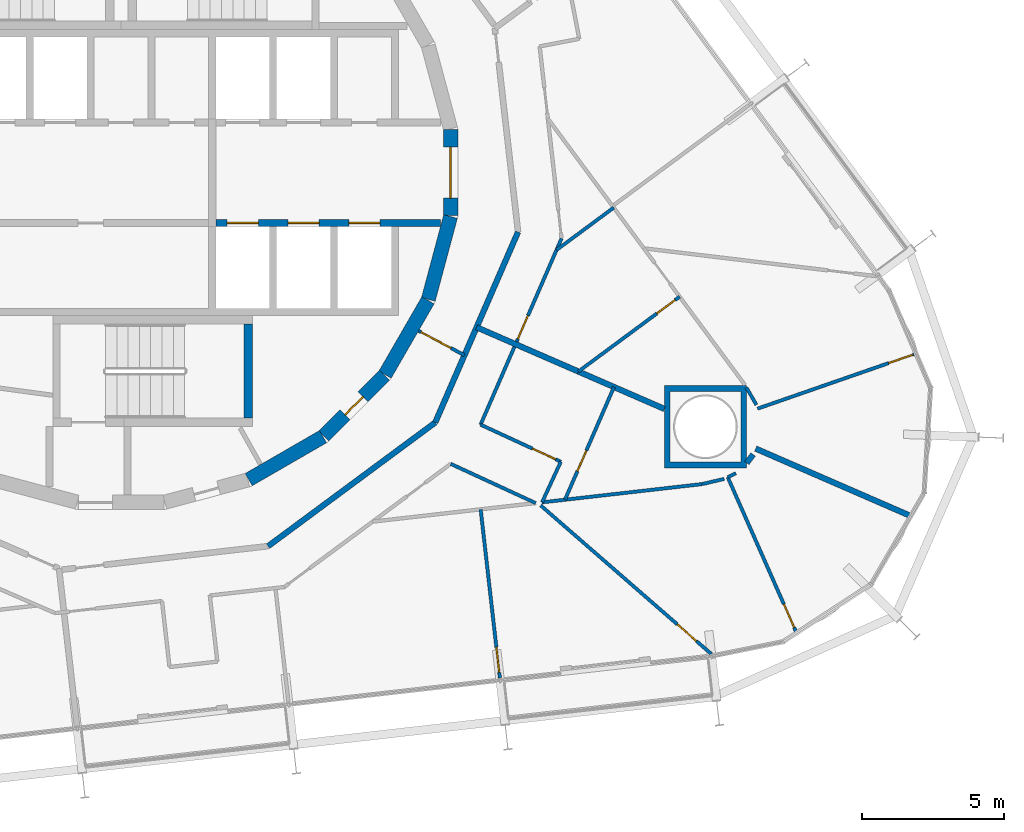
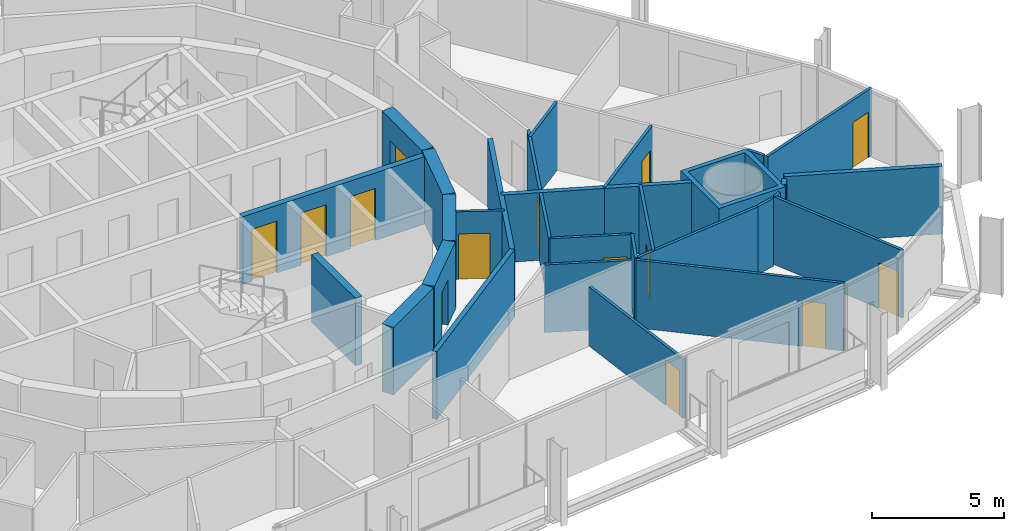
# One storey, part 19 of 24: 30 walls, 14 doors, 14 openings.
"""IFC4 building model written with IfcOpenShell, lengths in metres."""

from ifc_helpers import new_model, si_unit, direction, frame, frame_2d, origin, place, context, subcontext, project, spatial, polyline, rectangle, outline, extrude, material, layer, layer_set, type_object, element, fill, save


model = new_model("IFC4")

# Units and contexts
model_context = context("Model", 3, precision=1e-05, world=origin(), true_north=direction((0.0, 1.0)))
body_context = subcontext(model_context, "Body", "Model", "MODEL_VIEW")
ifc_project = project(units=[si_unit("LENGTHUNIT", "METRE"), si_unit("AREAUNIT", "SQUARE_METRE"), si_unit("VOLUMEUNIT", "CUBIC_METRE"), si_unit("PLANEANGLEUNIT", "RADIAN"), si_unit("MASSUNIT", "GRAM", prefix="KILO")], contexts=[model_context])

# Site, building, storey
site_placement = place(None, origin())
site = spatial("IfcSite", under=ifc_project, at=site_placement, CompositionType="ELEMENT")
building_placement = place(site_placement, origin())
building = spatial("IfcBuilding", under=site, at=building_placement, Name="Spindle Arch Residences", CompositionType="ELEMENT")
storey_placement = place(building_placement, frame((0.0, 0.0, 87.199951171875)))
storey = spatial("IfcBuildingStorey", under=building, at=storey_placement, Name="L20", CompositionType="ELEMENT", Elevation=87.199951171875)

# Wall
ifc_material_1 = material(Name="Concrete C50/60", Category="concrete")
ifc_layer_1 = layer(ifc_material_1, 0.5)
ifc_layer_set_1 = layer_set([ifc_layer_1], Name="Core outline wall 500")
wall_type_1 = type_object("IfcWallType", Name="Core outline wall 500", PredefinedType="SHEAR", material=ifc_layer_set_1)
wall_1_placement = place(storey_placement, frame((4.510498046875, -10.84521484375, 0.0), z_axis=(0.0, 0.0, 1.0), x_axis=(0.865975092491, 0.500087131594, 0.0)))
element("IfcWall", 1, at=wall_1_placement, inside=storey, type_object=wall_type_1, Name="Core outline wall 2", PredefinedType="SHEAR", context=body_context, shape_type="SweptSolid", body=[
    extrude(rectangle(XDim=3.03271484375, YDim=0.5, at=frame_2d((1.516357421875, 0.0))), origin(), (0.0, 0.0, 1.0), 3.1201171875),
])

# Wall, opening, door
wall_2_placement = place(storey_placement, frame((7.163818359375, -9.30810546875, 0.0), z_axis=(0.0, 0.0, 1.0), x_axis=(0.707106781187, 0.707106781187, 0.0)))
wall_2 = element("IfcWall", 2, at=wall_2_placement, inside=storey, type_object=wall_type_1, Name="Core outline wall 3", PredefinedType="SHEAR", context=body_context, shape_type="SweptSolid", body=[
    extrude(rectangle(XDim=3.032470703125, YDim=0.5, at=frame_2d((1.51611328125, 0.0))), origin(), (0.0, 0.0, 1.0), 3.1201171875),
])
opening_1_placement = place(wall_2_placement, frame((1.06640625, 0.0, 0.0)))
opening_1 = element("IfcOpeningElement", 3, at=opening_1_placement, cuts=wall_2, Name="Opening R2B1-WD07", PredefinedType="OPENING", context=body_context, shape_type="SweptSolid", body=[
    extrude(rectangle(XDim=0.89990234375, YDim=2.10009765625, at=frame_2d((0.449951171875, 1.050048828125))), frame((0.0, 0.260009765625, 0.0), z_axis=(0.0, -1.0, 0.0), x_axis=(1.0, 0.0, 0.0)), (0.0, 0.0, 1.0), 0.52001953125),
])
ifc_material_2 = material(Name="Steel, fire-resisting door", Category="steel")
door_type_1 = type_object("IfcDoorType", Name="Service room door 900x2100", OperationType="SINGLE_SWING_LEFT", PredefinedType="DOOR", material=ifc_material_2)
door_1_placement = place(opening_1_placement, origin())
door_1 = element("IfcDoor", 4, at=door_1_placement, inside=storey, type_object=door_type_1, Name="Service room door R2B1-WD07", OperationType="SINGLE_SWING_RIGHT", OverallHeight=2.10009765625, OverallWidth=0.89990234375, PredefinedType="DOOR", context=body_context, shape_type="SweptSolid", body=[
    extrude(rectangle(XDim=0.89990234375, YDim=2.10009765625, at=frame_2d((0.449951171875, 1.050048828125))), frame((0.0, 0.02490234375, 0.0), z_axis=(0.0, -1.0, 0.0), x_axis=(1.0, 0.0, 0.0)), (0.0, 0.0, 1.0), 0.050048828125),
])
fill(opening_1, door_1)

# Walls
for number, where, z_axis, x_axis, name in (
    (5, (9.32861328125, -7.13671875, 0.0), (0.0, 0.0, 1.0), (0.500087131594, 0.865975092491, 0.0), "Core outline wall 4"),
    (6, (10.858154296875, -4.479248046875, 0.0), (0.0, 0.0, 1.0), (0.258734743916, 0.965948410781, 0.0), "Core outline wall 5"),
):
    element("IfcWall", number, at=place(storey_placement, frame(where, z_axis=z_axis, x_axis=x_axis)), inside=storey, type_object=wall_type_1, Name=name, PredefinedType="SHEAR", context=body_context, shape_type="SweptSolid", body=[
        extrude(rectangle(XDim=3.03271484375, YDim=0.5, at=frame_2d((1.516357421875, 0.0))), origin(), (0.0, 0.0, 1.0), 3.1201171875),
    ])

# Wall, opening, door
wall_3_placement = place(storey_placement, frame((11.647216796875, -1.516357421875, 0.0), z_axis=(0.0, 0.0, 1.0), x_axis=(0.0, 1.0, 0.0)))
wall_3 = element("IfcWall", 7, at=wall_3_placement, inside=storey, type_object=wall_type_1, Name="Core outline wall 6", PredefinedType="SHEAR", context=body_context, shape_type="SweptSolid", body=[
    extrude(rectangle(XDim=3.03271484375, YDim=0.5, at=frame_2d((1.516357421875, 0.0))), origin(), (0.0, 0.0, 1.0), 3.1201171875),
])
opening_2_placement = place(wall_3_placement, frame((0.6162109375, 0.0, 0.0)))
opening_2 = element("IfcOpeningElement", 8, at=opening_2_placement, cuts=wall_3, Name="Opening R2B1-FE01", PredefinedType="OPENING", context=body_context, shape_type="SweptSolid", body=[
    extrude(rectangle(XDim=1.800048828125, YDim=2.10009765625, at=frame_2d((0.89990234375, 1.050048828125))), frame((0.0, 0.260009765625, 0.0), z_axis=(0.0, -1.0, 0.0), x_axis=(1.0, 0.0, 0.0)), (0.0, 0.0, 1.0), 0.52001953125),
])
ifc_material_3 = material(Name="Steel, fire-resisting door", Category="steel")
door_type_2 = type_object("IfcDoorType", Name="Fire-lift lobby door 1800x2100", OperationType="DOUBLE_DOOR_SINGLE_SWING", PredefinedType="DOOR", material=ifc_material_3)
door_2_placement = place(opening_2_placement, origin())
door_2 = element("IfcDoor", 9, at=door_2_placement, inside=storey, type_object=door_type_2, Name="Fire-lift lobby door R2B1-FE01", OperationType="DOUBLE_DOOR_SINGLE_SWING", OverallHeight=2.10009765625, OverallWidth=1.800048828125, PredefinedType="DOOR", context=body_context, shape_type="SweptSolid", body=[
    extrude(rectangle(XDim=1.800048828125, YDim=2.10009765625, at=frame_2d((0.89990234375, 1.050048828125))), frame((0.0, 0.02490234375, 0.0), z_axis=(0.0, -1.0, 0.0), x_axis=(1.0, 0.0, 0.0)), (0.0, 0.0, 1.0), 0.050048828125),
])
fill(opening_2, door_2)

ifc_material_4 = material(Name="Plasterboard on steel studs", Category="steel")
ifc_layer_2 = layer(ifc_material_4, 0.1201171875)
ifc_layer_set_2 = layer_set([ifc_layer_2], Name="Corridor division wall 120")
wall_type_2 = type_object("IfcWallType", Name="Corridor division wall 120", PredefinedType="PARTITIONING", material=ifc_layer_set_2)
wall_4_placement = place(storey_placement, frame((10.510986328125, -5.5888671875, 0.0), z_axis=(0.0, 0.0, 1.0), x_axis=(0.882962602189, -0.469443333253, 0.0)))
wall_4 = element("IfcWall", 10, at=wall_4_placement, inside=storey, type_object=wall_type_2, Name="Corridor division wall R2B1-W002", PredefinedType="PARTITIONING", context=body_context, shape_type="SweptSolid", body=[
    extrude(rectangle(XDim=1.837890625, YDim=0.1201171875, at=frame_2d((0.9189453125, 0.0))), origin(), (0.0, 0.0, 1.0), 3.1201171875),
])
opening_3_placement = place(wall_4_placement, frame((0.10009765625, 0.0, 0.0)))
opening_3 = element("IfcOpeningElement", 11, at=opening_3_placement, cuts=wall_4, Name="Opening R2B1-CD02", PredefinedType="OPENING", context=body_context, shape_type="SweptSolid", body=[
    extrude(rectangle(XDim=1.199951171875, YDim=2.10009765625, at=frame_2d((0.60009765625, 1.050048828125))), frame((0.0, 0.070068359375, 0.0), z_axis=(0.0, -1.0, 0.0), x_axis=(1.0, 0.0, 0.0)), (0.0, 0.0, 1.0), 0.14013671875),
])
ifc_material_5 = material(Name="Steel, fire-resisting door", Category="steel")
door_type_3 = type_object("IfcDoorType", Name="Corridor division door 1200x2100", OperationType="NOTDEFINED", PredefinedType="DOOR", material=ifc_material_5)
door_3_placement = place(opening_3_placement, origin())
door_3 = element("IfcDoor", 12, at=door_3_placement, inside=storey, type_object=door_type_3, Name="Corridor division door R2B1-CD02", OperationType="DOUBLE_DOOR_SINGLE_SWING", OverallHeight=2.10009765625, OverallWidth=1.199951171875, PredefinedType="DOOR", context=body_context, shape_type="SweptSolid", body=[
    extrude(rectangle(XDim=1.199951171875, YDim=2.10009765625, at=frame_2d((0.60009765625, 1.050048828125))), frame((0.0, 0.02490234375, 0.0), z_axis=(0.0, -1.0, 0.0), x_axis=(1.0, 0.0, 0.0)), (0.0, 0.0, 1.0), 0.050048828125),
])
fill(opening_3, door_3)

# Walls
ifc_material_6 = material(Name="Calcium silicate block, plastered")
ifc_layer_3 = layer(ifc_material_6, 0.199951171875)
ifc_layer_set_3 = layer_set([ifc_layer_3], Name="Corridor wall 200")
wall_type_3 = type_object("IfcWallType", Name="Corridor wall 200", PredefinedType="STANDARD", material=ifc_layer_set_3)
for number, where, z_axis, x_axis, name in (
    (13, (11.10009765625, -8.829345703125, 0.0), (0.0, 0.0, 1.0), (0.398741918631, 0.917063183388, 0.0), "Corridor wall R2B1-W007"),
    (14, (5.1982421875, -13.1962890625, 0.0), (0.0, 0.0, 1.0), (0.803869883159, 0.594805187394, 0.0), "Corridor wall R2B1-W015"),
):
    element("IfcWall", number, at=place(storey_placement, frame(where, z_axis=z_axis, x_axis=x_axis)), inside=storey, type_object=wall_type_3, Name=name, PredefinedType="STANDARD", context=body_context, shape_type="SweptSolid", body=[
        extrude(rectangle(XDim=7.341796875, YDim=0.199951171875, at=frame_2d((3.6708984375, 0.0))), origin(), (0.0, 0.0, 1.0), 3.1201171875),
    ])

# Wall, openings, doors
ifc_material_7 = material(Name="Concrete C50/60", Category="concrete")
ifc_layer_4 = layer(ifc_material_7, 0.25)
ifc_layer_set_4 = layer_set([ifc_layer_4], Name="Fire-lift shaft wall 250")
wall_type_4 = type_object("IfcWallType", Name="Fire-lift shaft wall 250", PredefinedType="SHEAR", material=ifc_layer_set_4)
wall_5_placement = place(storey_placement, frame((3.35009765625, -1.77490234375, 0.0), z_axis=(0.0, 0.0, 1.0), x_axis=(1.0, 0.0, 0.0)))
wall_5 = element("IfcWall", 15, at=wall_5_placement, inside=storey, type_object=wall_type_4, Name="Lift shaft front wall SE", PredefinedType="SHEAR", context=body_context, shape_type="SweptSolid", body=[
    extrude(rectangle(XDim=7.929931640625, YDim=0.25, at=frame_2d((3.96484375, 0.0))), origin(), (0.0, 0.0, 1.0), 3.1201171875),
])
opening_4_placement = place(wall_5_placement, frame((0.39990234375, 0.0, 0.0)))
opening_4 = element("IfcOpeningElement", 16, at=opening_4_placement, cuts=wall_5, Name="Opening R2B1-FLD01", PredefinedType="OPENING", context=body_context, shape_type="SweptSolid", body=[
    extrude(rectangle(XDim=1.10009765625, YDim=2.39990234375, at=frame_2d((0.550048828125, 1.199951171875))), frame((0.0, 0.135009765625, 0.0), z_axis=(0.0, -1.0, 0.0), x_axis=(1.0, 0.0, 0.0)), (0.0, 0.0, 1.0), 0.27001953125),
])
opening_5_placement = place(wall_5_placement, frame((2.550048828125, 0.0, 0.0)))
opening_5 = element("IfcOpeningElement", 17, at=opening_5_placement, cuts=wall_5, Name="Opening R2B1-FLD02", PredefinedType="OPENING", context=body_context, shape_type="SweptSolid", body=[
    extrude(rectangle(XDim=1.10009765625, YDim=2.39990234375, at=frame_2d((0.550048828125, 1.199951171875))), frame((0.0, 0.135009765625, 0.0), z_axis=(0.0, -1.0, 0.0), x_axis=(1.0, 0.0, 0.0)), (0.0, 0.0, 1.0), 0.27001953125),
])
opening_6_placement = place(wall_5_placement, frame((4.699951171875, 0.0, 0.0)))
opening_6 = element("IfcOpeningElement", 18, at=opening_6_placement, cuts=wall_5, Name="Opening R2B1-FLD03", PredefinedType="OPENING", context=body_context, shape_type="SweptSolid", body=[
    extrude(rectangle(XDim=1.10009765625, YDim=2.39990234375, at=frame_2d((0.550048828125, 1.199951171875))), frame((0.0, 0.135009765625, 0.0), z_axis=(0.0, -1.0, 0.0), x_axis=(1.0, 0.0, 0.0)), (0.0, 0.0, 1.0), 0.27001953125),
])
ifc_material_8 = material(Name="Steel, fire-resisting landing door", Category="steel")
door_type_4 = type_object("IfcDoorType", Name="Fire-fighting lift landing door 1100x2400", OperationType="DOUBLE_DOOR_SLIDING", PredefinedType="DOOR", material=ifc_material_8)
door_4_placement = place(opening_4_placement, origin())
door_4 = element("IfcDoor", 19, at=door_4_placement, inside=storey, type_object=door_type_4, Name="Fire-fighting lift landing door R2B1-FLD01", OperationType="DOUBLE_DOOR_SLIDING", OverallHeight=2.39990234375, OverallWidth=1.10009765625, PredefinedType="DOOR", context=body_context, shape_type="SweptSolid", body=[
    extrude(rectangle(XDim=1.10009765625, YDim=2.39990234375, at=frame_2d((0.550048828125, 1.199951171875))), frame((0.0, 0.02490234375, 0.0), z_axis=(0.0, -1.0, 0.0), x_axis=(1.0, 0.0, 0.0)), (0.0, 0.0, 1.0), 0.050048828125),
])
fill(opening_4, door_4)
door_5_placement = place(opening_5_placement, origin())
door_5 = element("IfcDoor", 20, at=door_5_placement, inside=storey, type_object=door_type_4, Name="Fire-fighting lift landing door R2B1-FLD02", OperationType="DOUBLE_DOOR_SLIDING", OverallHeight=2.39990234375, OverallWidth=1.10009765625, PredefinedType="DOOR", context=body_context, shape_type="SweptSolid", body=[
    extrude(rectangle(XDim=1.10009765625, YDim=2.39990234375, at=frame_2d((0.550048828125, 1.199951171875))), frame((0.0, 0.02490234375, 0.0), z_axis=(0.0, -1.0, 0.0), x_axis=(1.0, 0.0, 0.0)), (0.0, 0.0, 1.0), 0.050048828125),
])
fill(opening_5, door_5)
door_6_placement = place(opening_6_placement, origin())
door_6 = element("IfcDoor", 21, at=door_6_placement, inside=storey, type_object=door_type_4, Name="Fire-fighting lift landing door R2B1-FLD03", OperationType="DOUBLE_DOOR_SLIDING", OverallHeight=2.39990234375, OverallWidth=1.10009765625, PredefinedType="DOOR", context=body_context, shape_type="SweptSolid", body=[
    extrude(rectangle(XDim=1.10009765625, YDim=2.39990234375, at=frame_2d((0.550048828125, 1.199951171875))), frame((0.0, 0.02490234375, 0.0), z_axis=(0.0, -1.0, 0.0), x_axis=(1.0, 0.0, 0.0)), (0.0, 0.0, 1.0), 0.050048828125),
])
fill(opening_6, door_6)

# Walls
ifc_material_9 = material(Name="Plasterboard on steel studs", Category="steel")
ifc_layer_5 = layer(ifc_material_9, 0.1201171875)
ifc_layer_set_5 = layer_set([ifc_layer_5], Name="Flat partition 120")
wall_type_5 = type_object("IfcWallType", Name="Flat partition 120", PredefinedType="PARTITIONING", material=ifc_layer_set_5)
wall_6_placement = place(storey_placement, frame((11.648681640625, -10.289306640625, 0.0), z_axis=(0.0, 0.0, 1.0), x_axis=(0.9079269461, -0.419128453514, 0.0)))
element("IfcWall", 22, at=wall_6_placement, inside=storey, type_object=wall_type_5, Name="Flat partition R2B1-W098", PredefinedType="PARTITIONING", context=body_context, shape_type="SweptSolid", body=[
    extrude(rectangle(XDim=3.304443359375, YDim=0.1201171875, at=frame_2d((1.65234375, 0.0))), origin(), (0.0, 0.0, 1.0), 3.1201171875),
])
wall_7_placement = place(storey_placement, frame((14.87548828125, -11.6484375, 0.0), z_axis=(0.0, 0.0, 1.0), x_axis=(0.419087543301, 0.90794583046, 0.0)))
element("IfcWall", 23, at=wall_7_placement, inside=storey, type_object=wall_type_5, Name="Flat partition R2B1-W099", PredefinedType="PARTITIONING", context=body_context, shape_type="SweptSolid", body=[
    extrude(rectangle(XDim=1.58154296875, YDim=0.1201171875, at=frame_2d((0.790771484375, 0.0))), origin(), (0.0, 0.0, 1.0), 3.1201171875),
])

# Wall, opening, door
wall_8_placement = place(storey_placement, frame((15.538330078125, -10.21240234375, 0.0), z_axis=(0.0, 0.0, 1.0), x_axis=(-0.907941075756, 0.419097844131, 0.0)))
wall_8 = element("IfcWall", 24, at=wall_8_placement, inside=storey, type_object=wall_type_5, Name="Flat partition R2B1-W100", PredefinedType="PARTITIONING", context=body_context, shape_type="SweptSolid", body=[
    extrude(rectangle(XDim=3.122314453125, YDim=0.1201171875, at=frame_2d((1.56103515625, 0.0))), origin(), (0.0, 0.0, 1.0), 3.1201171875),
])
opening_7_placement = place(wall_8_placement, frame((0.199951171875, 0.0, 0.0)))
opening_7 = element("IfcOpeningElement", 25, at=opening_7_placement, cuts=wall_8, Name="Opening R2B1-ID27", PredefinedType="OPENING", context=body_context, shape_type="SweptSolid", body=[
    extrude(rectangle(XDim=0.89990234375, YDim=2.10009765625, at=frame_2d((0.449951171875, 1.050048828125))), frame((0.0, 0.070068359375, 0.0), z_axis=(0.0, -1.0, 0.0), x_axis=(1.0, 0.0, 0.0)), (0.0, 0.0, 1.0), 0.14013671875),
])
ifc_material_10 = material(Name="Timber door set", Category="wood")
door_type_5 = type_object("IfcDoorType", Name="Room door 900x2100", OperationType="NOTDEFINED", PredefinedType="DOOR", material=ifc_material_10)
door_7_placement = place(opening_7_placement, origin())
door_7 = element("IfcDoor", 26, at=door_7_placement, inside=storey, type_object=door_type_5, Name="Room door R2B1-ID27", OperationType="SINGLE_SWING_LEFT", OverallHeight=2.10009765625, OverallWidth=0.89990234375, PredefinedType="DOOR", context=body_context, shape_type="SweptSolid", body=[
    extrude(rectangle(XDim=0.89990234375, YDim=2.10009765625, at=frame_2d((0.449951171875, 1.050048828125))), frame((0.0, 0.02490234375, 0.0), z_axis=(0.0, -1.0, 0.0), x_axis=(1.0, 0.0, 0.0)), (0.0, 0.0, 1.0), 0.050048828125),
])
fill(opening_7, door_7)

wall_9_placement = place(storey_placement, frame((12.703369140625, -8.90380859375, 0.0), z_axis=(0.0, 0.0, 1.0), x_axis=(0.398716154453, 0.917074385303, 0.0)))
wall_9 = element("IfcWall", 27, at=wall_9_placement, inside=storey, type_object=wall_type_5, Name="Flat partition R2B1-W101", PredefinedType="PARTITIONING", context=body_context, shape_type="SweptSolid", body=[
    extrude(rectangle(XDim=7.172607421875, YDim=0.1201171875, at=frame_2d((3.58642578125, 0.0))), origin(), (0.0, 0.0, 1.0), 3.1201171875),
])
opening_8_placement = place(wall_9_placement, frame((3.2998046875, 0.0, 0.0)))
opening_8 = element("IfcOpeningElement", 28, at=opening_8_placement, cuts=wall_9, Name="Opening R2B1-ID32", PredefinedType="OPENING", context=body_context, shape_type="SweptSolid", body=[
    extrude(rectangle(XDim=0.89990234375, YDim=2.10009765625, at=frame_2d((0.449951171875, 1.050048828125))), frame((0.0, 0.070068359375, 0.0), z_axis=(0.0, -1.0, 0.0), x_axis=(1.0, 0.0, 0.0)), (0.0, 0.0, 1.0), 0.14013671875),
])
door_8_placement = place(opening_8_placement, origin())
door_8 = element("IfcDoor", 29, at=door_8_placement, inside=storey, type_object=door_type_5, Name="Room door R2B1-ID32", OperationType="SINGLE_SWING_RIGHT", OverallHeight=2.10009765625, OverallWidth=0.89990234375, PredefinedType="DOOR", context=body_context, shape_type="SweptSolid", body=[
    extrude(rectangle(XDim=0.89990234375, YDim=2.10009765625, at=frame_2d((0.449951171875, 1.050048828125))), frame((0.0, 0.02490234375, 0.0), z_axis=(0.0, -1.0, 0.0), x_axis=(1.0, 0.0, 0.0)), (0.0, 0.0, 1.0), 0.050048828125),
])
fill(opening_8, door_8)

wall_10_placement = place(storey_placement, frame((20.856201171875, -17.005859375, 0.0), z_axis=(0.0, 0.0, 1.0), x_axis=(-0.75423134567, 0.656608770281, 0.0)))
wall_10 = element("IfcWall", 30, at=wall_10_placement, inside=storey, type_object=wall_type_5, Name="Flat partition R2B1-W105", PredefinedType="PARTITIONING", context=body_context, shape_type="SweptSolid", body=[
    extrude(rectangle(XDim=7.995361328125, YDim=0.1201171875, at=frame_2d((3.99755859375, 0.0))), origin(), (0.0, 0.0, 1.0), 3.1201171875),
])
opening_9_placement = place(wall_10_placement, frame((0.699951171875, 0.0, 0.0)))
opening_9 = element("IfcOpeningElement", 31, at=opening_9_placement, cuts=wall_10, Name="Opening R2B1-ID29", PredefinedType="OPENING", context=body_context, shape_type="SweptSolid", body=[
    extrude(rectangle(XDim=0.89990234375, YDim=2.10009765625, at=frame_2d((0.449951171875, 1.050048828125))), frame((0.0, 0.070068359375, 0.0), z_axis=(0.0, -1.0, 0.0), x_axis=(1.0, 0.0, 0.0)), (0.0, 0.0, 1.0), 0.14013671875),
])
door_9_placement = place(opening_9_placement, origin())
door_9 = element("IfcDoor", 32, at=door_9_placement, inside=storey, type_object=door_type_5, Name="Room door R2B1-ID29", OperationType="SINGLE_SWING_RIGHT", OverallHeight=2.10009765625, OverallWidth=0.89990234375, PredefinedType="DOOR", context=body_context, shape_type="SweptSolid", body=[
    extrude(rectangle(XDim=0.89990234375, YDim=2.10009765625, at=frame_2d((0.449951171875, 1.050048828125))), frame((0.0, 0.02490234375, 0.0), z_axis=(0.0, -1.0, 0.0), x_axis=(1.0, 0.0, 0.0)), (0.0, 0.0, 1.0), 0.050048828125),
])
fill(opening_9, door_9)

# Walls
wall_11_placement = place(storey_placement, frame((20.52685546875, -11.00439453125, 0.0), z_axis=(0.0, 0.0, 1.0), x_axis=(-0.993568869194, -0.113229422712, 0.0)))
element("IfcWall", 33, at=wall_11_placement, inside=storey, type_object=wall_type_5, Name="Flat partition R2B1-W106", PredefinedType="PARTITIONING", context=body_context, shape_type="SweptSolid", body=[
    extrude(rectangle(XDim=5.68798828125, YDim=0.1201171875, at=frame_2d((2.843994140625, 0.0))), origin(), (0.0, 0.0, 1.0), 3.1201171875),
])
wall_12_placement = place(storey_placement, frame((21.3125, -10.82080078125, 0.0), z_axis=(0.0, 0.0, 1.0), x_axis=(-0.973765266404, -0.227554841621, 0.0)))
element("IfcWall", 34, at=wall_12_placement, inside=storey, type_object=wall_type_5, Name="Flat partition R2B1-W107", PredefinedType="PARTITIONING", context=body_context, shape_type="SweptSolid", body=[
    extrude(rectangle(XDim=0.806884765625, YDim=0.1201171875, at=frame_2d((0.4033203125, 0.0))), origin(), (0.0, 0.0, 1.0), 3.1201171875),
])

# Wall, opening, door
wall_13_placement = place(storey_placement, frame((23.863525390625, -16.253173828125, 0.0), z_axis=(0.0, 0.0, 1.0), x_axis=(-0.404274566917, 0.914637673915, 0.0)))
wall_13 = element("IfcWall", 35, at=wall_13_placement, inside=storey, type_object=wall_type_5, Name="Flat partition R2B1-W108", PredefinedType="PARTITIONING", context=body_context, shape_type="SweptSolid", body=[
    extrude(rectangle(XDim=6.00634765625, YDim=0.1201171875, at=frame_2d((3.003173828125, 0.0))), origin(), (0.0, 0.0, 1.0), 3.1201171875),
])
opening_10_placement = place(wall_13_placement, frame((0.199951171875, 0.0, 0.0)))
opening_10 = element("IfcOpeningElement", 36, at=opening_10_placement, cuts=wall_13, Name="Opening R2B1-ID30", PredefinedType="OPENING", context=body_context, shape_type="SweptSolid", body=[
    extrude(rectangle(XDim=0.89990234375, YDim=2.10009765625, at=frame_2d((0.449951171875, 1.050048828125))), frame((0.0, 0.070068359375, 0.0), z_axis=(0.0, -1.0, 0.0), x_axis=(1.0, 0.0, 0.0)), (0.0, 0.0, 1.0), 0.14013671875),
])
door_10_placement = place(opening_10_placement, origin())
door_10 = element("IfcDoor", 37, at=door_10_placement, inside=storey, type_object=door_type_5, Name="Room door R2B1-ID30", OperationType="SINGLE_SWING_RIGHT", OverallHeight=2.10009765625, OverallWidth=0.89990234375, PredefinedType="DOOR", context=body_context, shape_type="SweptSolid", body=[
    extrude(rectangle(XDim=0.89990234375, YDim=2.10009765625, at=frame_2d((0.449951171875, 1.050048828125))), frame((0.0, 0.02490234375, 0.0), z_axis=(0.0, -1.0, 0.0), x_axis=(1.0, 0.0, 0.0)), (0.0, 0.0, 1.0), 0.050048828125),
])
fill(opening_10, door_10)

wall_14_placement = place(storey_placement, frame((15.685546875, -11.55615234375, 0.0), z_axis=(0.0, 0.0, 1.0), x_axis=(0.398724055903, 0.917070949951, 0.0)))
wall_14 = element("IfcWall", 38, at=wall_14_placement, inside=storey, type_object=wall_type_5, Name="Flat partition R2B1-W109", PredefinedType="PARTITIONING", context=body_context, shape_type="SweptSolid", body=[
    extrude(rectangle(XDim=4.343017578125, YDim=0.1201171875, at=frame_2d((2.17138671875, 0.0))), origin(), (0.0, 0.0, 1.0), 3.1201171875),
])
opening_11_placement = place(wall_14_placement, frame((1.10009765625, 0.0, 0.0)))
opening_11 = element("IfcOpeningElement", 39, at=opening_11_placement, cuts=wall_14, Name="Opening R2B1-BD06", PredefinedType="OPENING", context=body_context, shape_type="SweptSolid", body=[
    extrude(rectangle(XDim=0.800048828125, YDim=2.10009765625, at=frame_2d((0.39990234375, 1.050048828125))), frame((0.0, 0.070068359375, 0.0), z_axis=(0.0, -1.0, 0.0), x_axis=(1.0, 0.0, 0.0)), (0.0, 0.0, 1.0), 0.14013671875),
])
ifc_material_11 = material(Name="Timber door set", Category="wood")
door_type_6 = type_object("IfcDoorType", Name="Bathroom door 800x2100", OperationType="NOTDEFINED", PredefinedType="DOOR", material=ifc_material_11)
door_11_placement = place(opening_11_placement, origin())
door_11 = element("IfcDoor", 40, at=door_11_placement, inside=storey, type_object=door_type_6, Name="Bathroom door R2B1-BD06", OperationType="SINGLE_SWING_RIGHT", OverallHeight=2.10009765625, OverallWidth=0.800048828125, PredefinedType="DOOR", context=body_context, shape_type="SweptSolid", body=[
    extrude(rectangle(XDim=0.800048828125, YDim=2.10009765625, at=frame_2d((0.39990234375, 1.050048828125))), frame((0.0, 0.02490234375, 0.0), z_axis=(0.0, -1.0, 0.0), x_axis=(1.0, 0.0, 0.0)), (0.0, 0.0, 1.0), 0.050048828125),
])
fill(opening_11, door_11)

# Wall
wall_15_placement = place(storey_placement, frame((21.435302734375, -10.759521484375, 0.0), z_axis=(0.0, 0.0, 1.0), x_axis=(0.895041493646, 0.445982874841, 0.0)))
element("IfcWall", 41, at=wall_15_placement, inside=storey, type_object=wall_type_5, Name="Flat partition R2B1-W110", PredefinedType="PARTITIONING", context=body_context, shape_type="SweptSolid", body=[
    extrude(rectangle(XDim=0.3173828125, YDim=0.1201171875, at=frame_2d((0.15869140625, 0.0))), origin(), (0.0, 0.0, 1.0), 3.1201171875),
])

# Wall, opening, door
wall_16_placement = place(storey_placement, frame((28.161865234375, -6.367919921875, 0.0), z_axis=(0.0, 0.0, 1.0), x_axis=(-0.944645847702, -0.328091789624, 0.0)))
wall_16 = element("IfcWall", 42, at=wall_16_placement, inside=storey, type_object=wall_type_5, Name="Flat partition R2B1-W117", PredefinedType="PARTITIONING", context=body_context, shape_type="SweptSolid", body=[
    extrude(rectangle(XDim=6.006591796875, YDim=0.1201171875, at=frame_2d((3.00341796875, 0.0))), origin(), (0.0, 0.0, 1.0), 3.1201171875),
])
opening_12_placement = place(wall_16_placement, frame((0.199951171875, 0.0, 0.0)))
opening_12 = element("IfcOpeningElement", 43, at=opening_12_placement, cuts=wall_16, Name="Opening R2B1-ID34", PredefinedType="OPENING", context=body_context, shape_type="SweptSolid", body=[
    extrude(rectangle(XDim=0.89990234375, YDim=2.10009765625, at=frame_2d((0.449951171875, 1.050048828125))), frame((0.0, 0.070068359375, 0.0), z_axis=(0.0, -1.0, 0.0), x_axis=(1.0, 0.0, 0.0)), (0.0, 0.0, 1.0), 0.14013671875),
])
door_12_placement = place(opening_12_placement, origin())
door_12 = element("IfcDoor", 44, at=door_12_placement, inside=storey, type_object=door_type_5, Name="Room door R2B1-ID34", OperationType="SINGLE_SWING_LEFT", OverallHeight=2.10009765625, OverallWidth=0.89990234375, PredefinedType="DOOR", context=body_context, shape_type="SweptSolid", body=[
    extrude(rectangle(XDim=0.89990234375, YDim=2.10009765625, at=frame_2d((0.449951171875, 1.050048828125))), frame((0.0, 0.02490234375, 0.0), z_axis=(0.0, -1.0, 0.0), x_axis=(1.0, 0.0, 0.0)), (0.0, 0.0, 1.0), 0.050048828125),
])
fill(opening_12, door_12)

# Wall
wall_17_placement = place(storey_placement, frame((22.44873046875, -8.20703125, 0.0), z_axis=(0.0, 0.0, 1.0), x_axis=(-0.497404938529, 0.867518488061, 0.0)))
element("IfcWall", 45, at=wall_17_placement, inside=storey, type_object=wall_type_5, Name="Flat partition R2B1-W118", PredefinedType="PARTITIONING", context=body_context, shape_type="SweptSolid", body=[
    extrude(rectangle(XDim=0.705810546875, YDim=0.1201171875, at=frame_2d((0.35302734375, 0.0))), origin(), (0.0, 0.0, 1.0), 3.1201171875),
])

# Wall, opening, door
wall_18_placement = place(storey_placement, frame((19.734619140625, -4.381591796875, 0.0), z_axis=(0.0, 0.0, 1.0), x_axis=(-0.803850825108, -0.594830943188, 0.0)))
wall_18 = element("IfcWall", 46, at=wall_18_placement, inside=storey, type_object=wall_type_5, Name="Flat partition R2B1-W119", PredefinedType="PARTITIONING", context=body_context, shape_type="SweptSolid", body=[
    extrude(rectangle(XDim=4.44677734375, YDim=0.1201171875, at=frame_2d((2.223388671875, 0.0))), origin(), (0.0, 0.0, 1.0), 3.1201171875),
])
opening_13_placement = place(wall_18_placement, frame((0.199951171875, 0.0, 0.0)))
opening_13 = element("IfcOpeningElement", 47, at=opening_13_placement, cuts=wall_18, Name="Opening R2B1-BD08", PredefinedType="OPENING", context=body_context, shape_type="SweptSolid", body=[
    extrude(rectangle(XDim=0.800048828125, YDim=2.10009765625, at=frame_2d((0.39990234375, 1.050048828125))), frame((0.0, 0.070068359375, 0.0), z_axis=(0.0, -1.0, 0.0), x_axis=(1.0, 0.0, 0.0)), (0.0, 0.0, 1.0), 0.14013671875),
])
door_13_placement = place(opening_13_placement, origin())
door_13 = element("IfcDoor", 48, at=door_13_placement, inside=storey, type_object=door_type_6, Name="Bathroom door R2B1-BD08", OperationType="SINGLE_SWING_LEFT", OverallHeight=2.10009765625, OverallWidth=0.800048828125, PredefinedType="DOOR", context=body_context, shape_type="SweptSolid", body=[
    extrude(rectangle(XDim=0.800048828125, YDim=2.10009765625, at=frame_2d((0.39990234375, 1.050048828125))), frame((0.0, 0.02490234375, 0.0), z_axis=(0.0, -1.0, 0.0), x_axis=(1.0, 0.0, 0.0)), (0.0, 0.0, 1.0), 0.050048828125),
])
fill(opening_13, door_13)

# Wall
wall_19_placement = place(storey_placement, frame((17.40771484375, -1.2373046875, 0.0), z_axis=(0.0, 0.0, 1.0), x_axis=(-0.803863255433, -0.594814144556, 0.0)))
element("IfcWall", 49, at=wall_19_placement, inside=storey, type_object=wall_type_5, Name="Flat partition R2B1-W121", PredefinedType="PARTITIONING", context=body_context, shape_type="SweptSolid", body=[
    extrude(rectangle(XDim=2.514404296875, YDim=0.1201171875, at=frame_2d((1.25732421875, 0.0))), origin(), (0.0, 0.0, 1.0), 3.1201171875),
])

# Wall, opening, door
ifc_material_12 = material(Name="Plasterboard on steel studs", Category="steel")
ifc_layer_6 = layer(ifc_material_12, 0.1201171875)
ifc_layer_set_6 = layer_set([ifc_layer_6], Name="Flat partition 120 under beam 2730")
wall_type_6 = type_object("IfcWallType", Name="Flat partition 120 under beam 2730", PredefinedType="PARTITIONING", material=ifc_layer_set_6)
wall_20_placement = place(storey_placement, frame((13.3857421875, -17.85693359375, 0.0), z_axis=(0.0, 0.0, 1.0), x_axis=(-0.113200012983, 0.993572220355, 0.0)))
wall_20 = element("IfcWall", 50, at=wall_20_placement, inside=storey, type_object=wall_type_6, Name="Flat partition R2B1-W104", PredefinedType="PARTITIONING", context=body_context, shape_type="SweptSolid", body=[
    extrude(rectangle(XDim=6.0, YDim=0.1201171875, at=frame_2d((3.0, 0.0))), origin(), (0.0, 0.0, 1.0), 2.72998046875),
])
opening_14_placement = place(wall_20_placement, frame((0.199951171875, 0.0, 0.0)))
opening_14 = element("IfcOpeningElement", 51, at=opening_14_placement, cuts=wall_20, Name="Opening R2B1-ID28", PredefinedType="OPENING", context=body_context, shape_type="SweptSolid", body=[
    extrude(rectangle(XDim=0.89990234375, YDim=2.10009765625, at=frame_2d((0.449951171875, 1.050048828125))), frame((0.0, 0.070068359375, 0.0), z_axis=(0.0, -1.0, 0.0), x_axis=(1.0, 0.0, 0.0)), (0.0, 0.0, 1.0), 0.14013671875),
])
door_14_placement = place(opening_14_placement, origin())
door_14 = element("IfcDoor", 52, at=door_14_placement, inside=storey, type_object=door_type_5, Name="Room door R2B1-ID28", OperationType="SINGLE_SWING_RIGHT", OverallHeight=2.10009765625, OverallWidth=0.89990234375, PredefinedType="DOOR", context=body_context, shape_type="SweptSolid", body=[
    extrude(rectangle(XDim=0.89990234375, YDim=2.10009765625, at=frame_2d((0.449951171875, 1.050048828125))), frame((0.0, 0.02490234375, 0.0), z_axis=(0.0, -1.0, 0.0), x_axis=(1.0, 0.0, 0.0)), (0.0, 0.0, 1.0), 0.050048828125),
])
fill(opening_14, door_14)

# Walls
ifc_material_13 = material(Name="Calcium silicate block, plastered")
ifc_layer_7 = layer(ifc_material_13, 0.199951171875)
ifc_layer_set_7 = layer_set([ifc_layer_7], Name="Flat party wall 200")
wall_type_7 = type_object("IfcWallType", Name="Flat party wall 200", PredefinedType="STANDARD", material=ifc_layer_set_7)
wall_21_placement = place(storey_placement, frame((16.16015625, -7.026611328125, 0.0), z_axis=(0.0, 0.0, 1.0), x_axis=(-0.917065107526, 0.398737493293, 0.0)))
element("IfcWall", 53, at=wall_21_placement, inside=storey, type_object=wall_type_7, Name="Flat party wall R2B1-W024", PredefinedType="STANDARD", context=body_context, shape_type="SweptSolid", body=[
    extrude(rectangle(XDim=3.921630859375, YDim=0.199951171875, at=frame_2d((1.9609375, 0.0))), origin(), (0.0, 0.0, 1.0), 3.1201171875),
])
wall_22_placement = place(storey_placement, frame((19.197509765625, -8.347412109375, 0.0), z_axis=(0.0, 0.0, 1.0), x_axis=(-0.917046616943, 0.398780017495, 0.0)))
element("IfcWall", 54, at=wall_22_placement, inside=storey, type_object=wall_type_7, Name="Flat party wall R2B1-W025", PredefinedType="STANDARD", context=body_context, shape_type="SweptSolid", body=[
    extrude(rectangle(XDim=3.31201171875, YDim=0.199951171875, at=frame_2d((1.656005859375, 0.0))), origin(), (0.0, 0.0, 1.0), 3.1201171875),
])
wall_23_placement = place(storey_placement, frame((27.9345703125, -12.146240234375, 0.0), z_axis=(0.0, 0.0, 1.0), x_axis=(-0.917058430913, 0.398752848631, 0.0)))
element("IfcWall", 55, at=wall_23_placement, inside=storey, type_object=wall_type_7, Name="Flat party wall R2B1-W026", PredefinedType="STANDARD", context=body_context, shape_type="SweptSolid", body=[
    extrude(rectangle(XDim=6.010009765625, YDim=0.199951171875, at=frame_2d((3.0048828125, 0.0))), origin(), (0.0, 0.0, 1.0), 3.1201171875),
])
wall_24_placement = place(storey_placement, frame((22.332763671875, -9.957275390625, 0.0), z_axis=(0.0, 0.0, 1.0), x_axis=(-0.599479717237, -0.800389947851, 0.0)))
element("IfcWall", 56, at=wall_24_placement, inside=storey, type_object=wall_type_7, Name="Flat party wall R2B1-W027", PredefinedType="STANDARD", context=body_context, shape_type="SweptSolid", body=[
    extrude(rectangle(XDim=0.37548828125, YDim=0.199951171875, at=frame_2d((0.187744140625, 0.0))), origin(), (0.0, 0.0, 1.0), 3.1201171875),
])
ifc_material_14 = material(Name="Calcium silicate block, plastered")
ifc_layer_8 = layer(ifc_material_14, 0.199951171875)
ifc_layer_set_8 = layer_set([ifc_layer_8], Name="Mega-column casing wall 200")
wall_type_8 = type_object("IfcWallType", Name="Mega-column casing wall 200", PredefinedType="STANDARD", material=ifc_layer_set_8)
wall_25_placement = place(storey_placement, origin())
element("IfcWall", 57, at=wall_25_placement, inside=storey, type_object=wall_type_8, Name="Mega-column casing wall R2B1-WC03", PredefinedType="STANDARD", context=body_context, shape_type="SweptSolid", body=[
    extrude(outline(polyline([(22.09765625, -7.52783203125), (22.09765625, -10.427734375), (19.197509765625, -10.427734375), (19.197509765625, -7.52783203125), (22.09765625, -7.52783203125)]), holes=[polyline([(19.397705078125, -10.227783203125), (21.897705078125, -10.227783203125), (21.897705078125, -7.727783203125), (19.397705078125, -7.727783203125), (19.397705078125, -10.227783203125)])]), origin(), (0.0, 0.0, 1.0), 3.1201171875),
])
ifc_material_15 = material(Name="Concrete C50/60", Category="concrete")
ifc_layer_9 = layer(ifc_material_15, 0.300048828125)
ifc_layer_set_9 = layer_set([ifc_layer_9], Name="Stair enclosure wall 300")
wall_type_9 = type_object("IfcWallType", Name="Stair enclosure wall 300", PredefinedType="SHEAR", material=ifc_layer_set_9)
wall_26_placement = place(storey_placement, frame((4.5, -8.669921875, 0.0), z_axis=(0.0, 0.0, 1.0), x_axis=(0.0, 1.0, 0.0)))
element("IfcWall", 58, at=wall_26_placement, inside=storey, type_object=wall_type_9, Name="Stair ST-3 enclosure wall E", PredefinedType="SHEAR", context=body_context, shape_type="SweptSolid", body=[
    extrude(rectangle(XDim=3.31982421875, YDim=0.300048828125, at=frame_2d((1.659912109375, 0.0))), origin(), (0.0, 0.0, 1.0), 3.1201171875),
])

save(model, "model.ifc")
